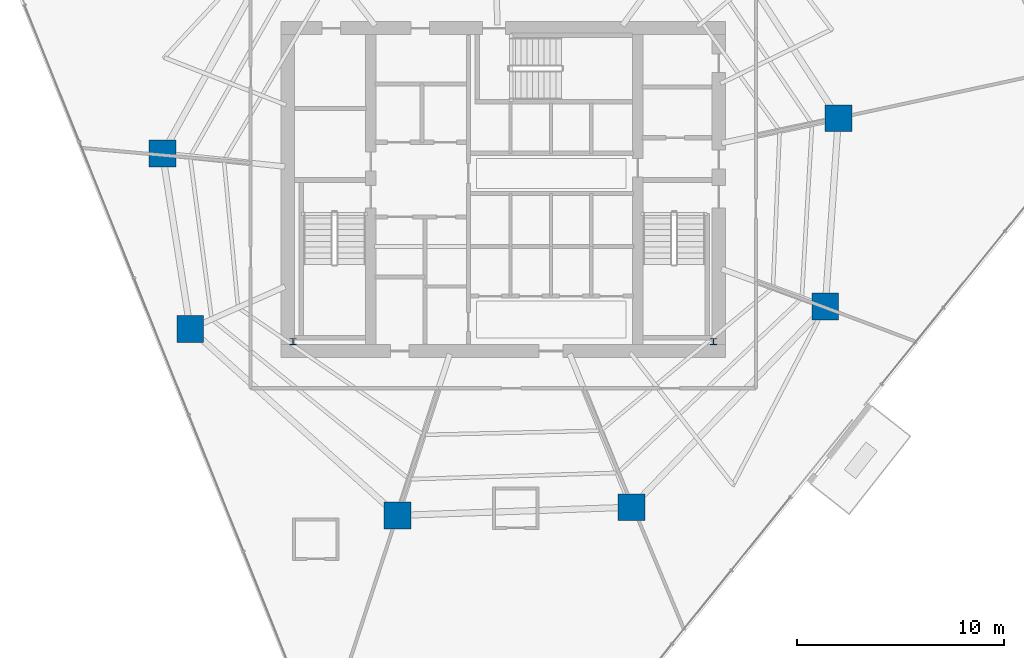
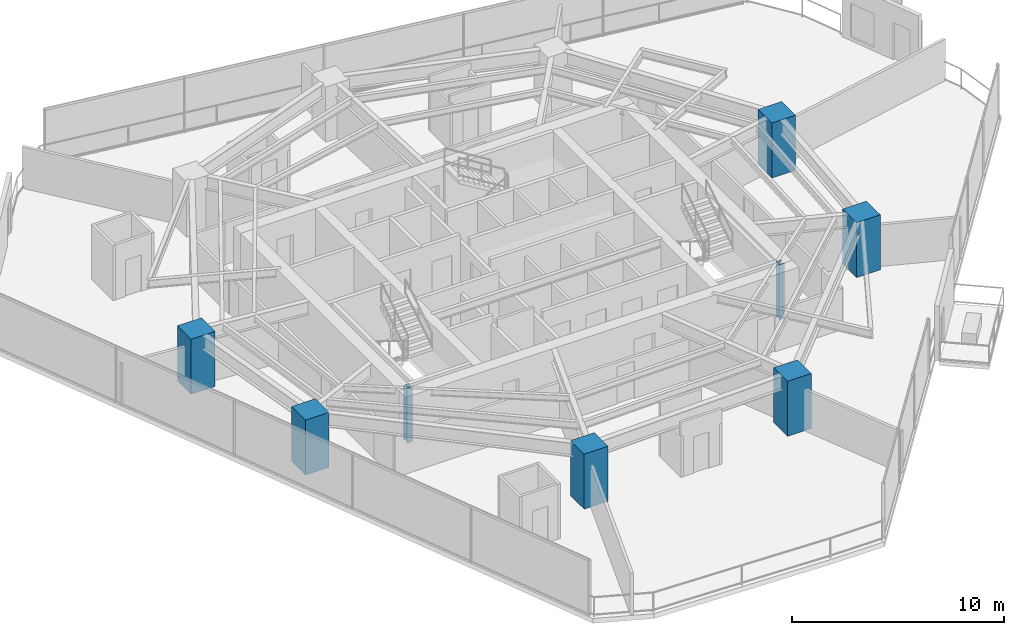
# One storey, part 1 of 32: 8 columns.
"""IFC4 building model written with IfcOpenShell, lengths in metres."""

import ifcopenshell
import ifcopenshell.guid

model = None  # the IFC model being written
_history = None  # IfcOwnerHistory: only IFC2X3 demands one
_inside = {}  # id of a spatial element -> (the spatial element, [elements in it])
_under = {}  # id of a project, library or spatial element -> (it, [spatial elements below it])
_declared = {}  # id of a project -> (the project, [libraries it declares])
_typed = {}  # id of a type object -> (the type object, [elements of that type])
_made_of = {}  # id of a material, layer set ... -> (it, [elements and type objects made of it])


def new_model(schema):
    """Start an empty IFC model of exactly this schema.

    Asked for "IFC4X3", IfcOpenShell would pick the latest addendum, in which some entities
    have other attributes; the version numbers below select the first issue.
    IFC2X3 requires an IfcOwnerHistory on every rooted entity: one is made here for all.
    """
    global model, _history
    if schema == "IFC4X3":
        model = ifcopenshell.file(schema_version=(4, 3, 0, 0))
    else:
        model = ifcopenshell.file(schema=schema)
    _inside.clear()
    _under.clear()
    _declared.clear()
    _typed.clear()
    _made_of.clear()
    _history = None
    if model.schema == "IFC2X3":
        org = make("IfcOrganization", Name="unknown")
        user = make(
            "IfcPersonAndOrganization",
            ThePerson=make("IfcPerson", FamilyName="unknown"),
            TheOrganization=org,
        )
        app = make(
            "IfcApplication",
            ApplicationDeveloper=org,
            Version="unknown",
            ApplicationFullName="unknown",
            ApplicationIdentifier="unknown",
        )
        _history = make(
            "IfcOwnerHistory",
            OwningUser=user,
            OwningApplication=app,
            ChangeAction="ADDED",
            CreationDate=0,
        )
    return model


def make(cls, **values):
    """One entity of the class cls with the attributes given. An attribute that is None is left unset."""
    return model.create_entity(
        cls, **{name: value for name, value in values.items() if value is not None}
    )


def rooted(cls, **values):
    """An entity with a GlobalId (a new one), such as an element, a storey or a relation."""
    return make(cls, GlobalId=ifcopenshell.guid.new(), OwnerHistory=_history, **values)


def si_unit(unit_type, name, prefix=None):
    """IfcSIUnit, for example si_unit("LENGTHUNIT", "METRE", prefix="MILLI")."""
    return make("IfcSIUnit", UnitType=unit_type, Prefix=prefix, Name=name)


def assignment(units):
    """IfcUnitAssignment: the units of a project."""
    return None if units is None else make("IfcUnitAssignment", Units=units)


def point(xyz):
    """IfcCartesianPoint."""
    return None if xyz is None else make("IfcCartesianPoint", Coordinates=xyz)


def direction(xyz):
    """IfcDirection."""
    return None if xyz is None else make("IfcDirection", DirectionRatios=xyz)


def frame(location, z_axis=None, x_axis=None):
    """IfcAxis2Placement3D, a coordinate frame: its origin and axes. An axis left out is left unset."""
    return make(
        "IfcAxis2Placement3D",
        Location=point(location),
        Axis=direction(z_axis),
        RefDirection=direction(x_axis),
    )


def frame_2d(location, x_axis=None):
    """IfcAxis2Placement2D, a coordinate frame in the plane: its origin and x axis."""
    return make(
        "IfcAxis2Placement2D", Location=point(location), RefDirection=direction(x_axis)
    )


def origin():
    """The frame at (0, 0, 0) with its axes left unset."""
    return frame((0.0, 0.0, 0.0))


def origin_2d():
    """The frame at (0, 0) in the plane with its x axis left unset."""
    return frame_2d((0.0, 0.0))


def place(relative_to, where):
    """IfcLocalPlacement: puts the frame where relative to a parent placement (None: the world)."""
    return make(
        "IfcLocalPlacement", PlacementRelTo=relative_to, RelativePlacement=where
    )


def context(
    kind, dimensions, precision=None, world=None, true_north=None, identifier=None
):
    """IfcGeometricRepresentationContext, for example the 3D "Model" context."""
    return make(
        "IfcGeometricRepresentationContext",
        ContextIdentifier=identifier,
        ContextType=kind,
        CoordinateSpaceDimension=dimensions,
        Precision=precision,
        WorldCoordinateSystem=world,
        TrueNorth=true_north,
    )


def subcontext(parent, identifier, kind, view, scale=None):
    """IfcGeometricRepresentationSubContext, for example "Body" below "Model"."""
    return make(
        "IfcGeometricRepresentationSubContext",
        ContextIdentifier=identifier,
        ContextType=kind,
        ParentContext=parent,
        TargetScale=scale,
        TargetView=view,
    )


def project(units=None, contexts=None):
    """IfcProject with its units and contexts."""
    return rooted(
        "IfcProject",
        Name="project",
        RepresentationContexts=contexts,
        UnitsInContext=assignment(units),
    )


def spatial(cls, under=None, at=None, **own):
    """A site, building, storey or space (cls), placed at a placement, below another one or the project."""
    s = rooted(cls, ObjectPlacement=at, **own)
    if under is not None:
        _under.setdefault(under.id(), (under, []))[1].append(s)
    return s


def profile(cls, at=None, kind="AREA", **sizes):
    """A parametric profile (cls). Its sizes go by their IFC names, for example OverallWidth=200.0."""
    return make(cls, ProfileType=kind, Position=at, **sizes)


def rectangle(**sizes):
    """IfcRectangleProfileDef."""
    return profile("IfcRectangleProfileDef", **sizes)


def i_section(**sizes):
    """IfcIShapeProfileDef."""
    return profile("IfcIShapeProfileDef", **sizes)


def extrude(swept, where, along, depth):
    """IfcExtrudedAreaSolid: the profile swept, set in the frame where, extruded along a direction by depth."""
    return make(
        "IfcExtrudedAreaSolid",
        SweptArea=swept,
        Position=where,
        ExtrudedDirection=direction(along),
        Depth=depth,
    )


def shape(context_of_items, identifier, shape_type, items):
    """IfcShapeRepresentation: the items that make up one representation, for example the "Body"."""
    return make(
        "IfcShapeRepresentation",
        ContextOfItems=context_of_items,
        RepresentationIdentifier=identifier,
        RepresentationType=shape_type,
        Items=items,
    )


def material(Name=None, Category=None):
    """IfcMaterial."""
    return make("IfcMaterial", Name=Name, Category=Category)


def material_profile(
    of_material, cross_section, Name=None, Category=None, Priority=None
):
    """IfcMaterialProfile: a cross section and its material."""
    return make(
        "IfcMaterialProfile",
        Name=Name,
        Material=of_material,
        Profile=cross_section,
        Priority=Priority,
        Category=Category,
    )


def profile_set(profiles, Name=None, composite=None):
    """IfcMaterialProfileSet."""
    return make(
        "IfcMaterialProfileSet",
        Name=Name,
        MaterialProfiles=profiles,
        CompositeProfile=composite,
    )


def made_of(thing, what):
    """Note that an element or type object is made of a material, layer set ...; save() writes the relation."""
    if what is not None:
        _made_of.setdefault(what.id(), (what, []))[1].append(thing)
    return thing


def type_object(cls, material=None, **own):
    """A type object (cls), such as IfcWallType, which elements share."""
    return made_of(rooted(cls, **own), material)


def element(
    cls,
    number,
    at=None,
    inside=None,
    cuts=None,
    type_object=None,
    material=None,
    context=None,
    identifier="Body",
    shape_type=None,
    held_by="IfcProductDefinitionShape",
    body=None,
    shapes=None,
    **own,
):
    """One element of the class cls, such as IfcWall. Its Tag is "e" and its number.

    at: its placement. inside: the storey or other place that contains it. cuts: it is an
    opening in that element (IfcRelVoidsElement). A single representation is given by context,
    identifier, shape_type and body (its items); several are given by shapes. held_by: the class
    of the entity that holds the representations. save() writes the other relations.
    """
    e = rooted(cls, Tag="e%d" % number, ObjectPlacement=at, **own)
    if body is not None:
        shapes = [shape(context, identifier, shape_type, body)]
    if shapes is not None:
        e.Representation = make(held_by, Representations=shapes)
    if inside is not None:
        _inside.setdefault(inside.id(), (inside, []))[1].append(e)
    if cuts is not None:
        rooted(
            "IfcRelVoidsElement", RelatingBuildingElement=cuts, RelatedOpeningElement=e
        )
    if type_object is not None:
        _typed.setdefault(type_object.id(), (type_object, []))[1].append(e)
    return made_of(e, material)


def aggregate(whole, parts):
    """IfcRelAggregates: a whole, such as a stair, and the parts it consists of."""
    return rooted("IfcRelAggregates", RelatingObject=whole, RelatedObjects=parts)


def save(model, path):
    """Write the relations noted so far, then the file.

    IfcRelAggregates (storeys below a building ...), IfcRelContainedInSpatialStructure (elements
    in a storey), IfcRelDefinesByType, IfcRelAssociatesMaterial and IfcRelDeclares: one each for
    every whole, place, type object, material and project.
    """
    for whole, parts in _under.values():
        aggregate(whole, parts)
    for where, things in _inside.values():
        rooted(
            "IfcRelContainedInSpatialStructure",
            RelatedElements=things,
            RelatingStructure=where,
        )
    for kind, things in _typed.values():
        rooted("IfcRelDefinesByType", RelatedObjects=things, RelatingType=kind)
    for what, things in _made_of.values():
        rooted("IfcRelAssociatesMaterial", RelatedObjects=things, RelatingMaterial=what)
    for by, libraries in _declared.values():
        rooted("IfcRelDeclares", RelatingContext=by, RelatedDefinitions=libraries)
    model.write(path)


model = new_model("IFC4")

# Units and contexts
model_context = context("Model", 3, precision=1e-05, world=origin(), true_north=direction((0.0, 1.0)))
body_context = subcontext(model_context, "Body", "Model", "MODEL_VIEW")
ifc_project = project(units=[si_unit("LENGTHUNIT", "METRE"), si_unit("AREAUNIT", "SQUARE_METRE"), si_unit("VOLUMEUNIT", "CUBIC_METRE"), si_unit("PLANEANGLEUNIT", "RADIAN"), si_unit("MASSUNIT", "GRAM", prefix="KILO")], contexts=[model_context])

# Site, building, storey
site_placement = place(None, origin())
site = spatial("IfcSite", under=ifc_project, at=site_placement, CompositionType="ELEMENT")
building_placement = place(site_placement, origin())
building = spatial("IfcBuilding", under=site, at=building_placement, Name="Qarnah Convention Tower", CompositionType="ELEMENT")
storey_placement = place(building_placement, frame((0.0, 0.0, 37.35009765625)))
storey = spatial("IfcBuildingStorey", under=building, at=storey_placement, Name="L08", CompositionType="ELEMENT", Elevation=37.35009765625)

# Columns
ifc_material_1 = material(Name="Concrete C60/75", Category="concrete")
ifc_material_profile_1 = material_profile(ifc_material_1, rectangle(XDim=1.300048828125, YDim=1.300048828125, at=origin_2d()), Name="RC-COL-1300X1300")
ifc_profile_set_1 = profile_set([ifc_material_profile_1], Name="Concrete C60/75")
column_type_1 = type_object("IfcColumnType", Name="COL-Z1-1300", PredefinedType="COLUMN", material=ifc_profile_set_1)
for number, where, z_axis, x_axis, name in (
    (1, (53.387939453125, 29.841064453125, 0.0), (0.0, 0.0, 1.0), (1.0, 0.0, 0.0), "L08 plumb column PC-Z1-01"),
    (2, (20.740966796875, 28.1298828125, 0.0), (0.0, 0.0, 1.0), (1.0, 0.0, 0.0), "L08 plumb column PC-Z1-05"),
    (3, (22.0810546875, 19.6689453125, 0.0), (0.0, 0.0, 1.0), (1.0, 0.0, 0.0), "L08 plumb column PC-Z1-06"),
    (4, (32.0859375, 10.659912109375, 0.0), (0.0, 0.0, 1.0), (1.0, 0.0, 0.0), "L08 plumb column PC-Z1-07"),
    (5, (43.39990234375, 11.054931640625, 0.0), (0.0, 0.0, 1.0), (1.0, 0.0, 0.0), "L08 plumb column PC-Z1-08"),
    (6, (52.751953125, 20.739990234375, 0.0), (0.0, 0.0, 1.0), (1.0, 0.0, 0.0), "L08 plumb column PC-Z1-09"),
):
    element("IfcColumn", number, at=place(storey_placement, frame(where, z_axis=z_axis, x_axis=x_axis)), inside=storey, type_object=column_type_1, Name=name, PredefinedType="COLUMN", context=body_context, shape_type="SweptSolid", body=[
        extrude(rectangle(XDim=1.300048828125, YDim=1.300048828125, at=origin_2d()), origin(), (0.0, 0.0, 1.0), 3.169921875),
    ])
ifc_material_2 = material(Name="Structural steel S355JR", Category="steel")
ifc_material_profile_2 = material_profile(ifc_material_2, i_section(OverallWidth=0.300048828125, OverallDepth=0.300048828125, WebThickness=0.010986328125, FlangeThickness=0.01904296875, at=origin_2d()), Name="HEB300")
ifc_profile_set_2 = profile_set([ifc_material_profile_2], Name="Structural steel S355JR")
column_type_2 = type_object("IfcColumnType", Name="PIL-SHF-300", PredefinedType="PILASTER", material=ifc_profile_set_2)
for number, where, z_axis, x_axis, name in (
    (7, (27.050048828125, 19.050048828125, 0.0), (0.0, 0.0, 1.0), (1.0, 0.0, 0.0), "L08 core spine steel pilaster 1"),
    (8, (47.35009765625, 19.050048828125, 0.0), (0.0, 0.0, 1.0), (1.0, 0.0, 0.0), "L08 core spine steel pilaster 2"),
):
    element("IfcColumn", number, at=place(storey_placement, frame(where, z_axis=z_axis, x_axis=x_axis)), inside=storey, type_object=column_type_2, Name=name, PredefinedType="PILASTER", context=body_context, shape_type="SweptSolid", body=[
        extrude(i_section(OverallWidth=0.300048828125, OverallDepth=0.300048828125, WebThickness=0.010986328125, FlangeThickness=0.01904296875, at=origin_2d()), origin(), (0.0, 0.0, 1.0), 3.169921875),
    ])

save(model, "model.ifc")
